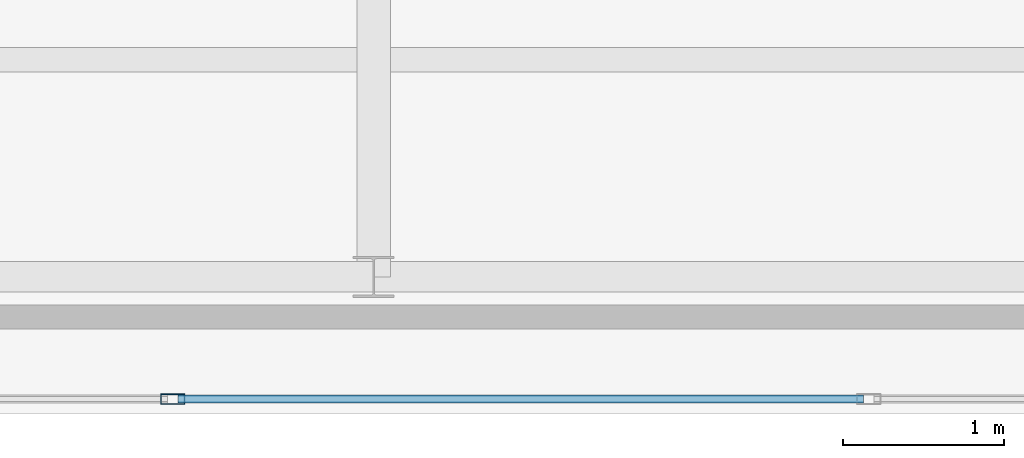
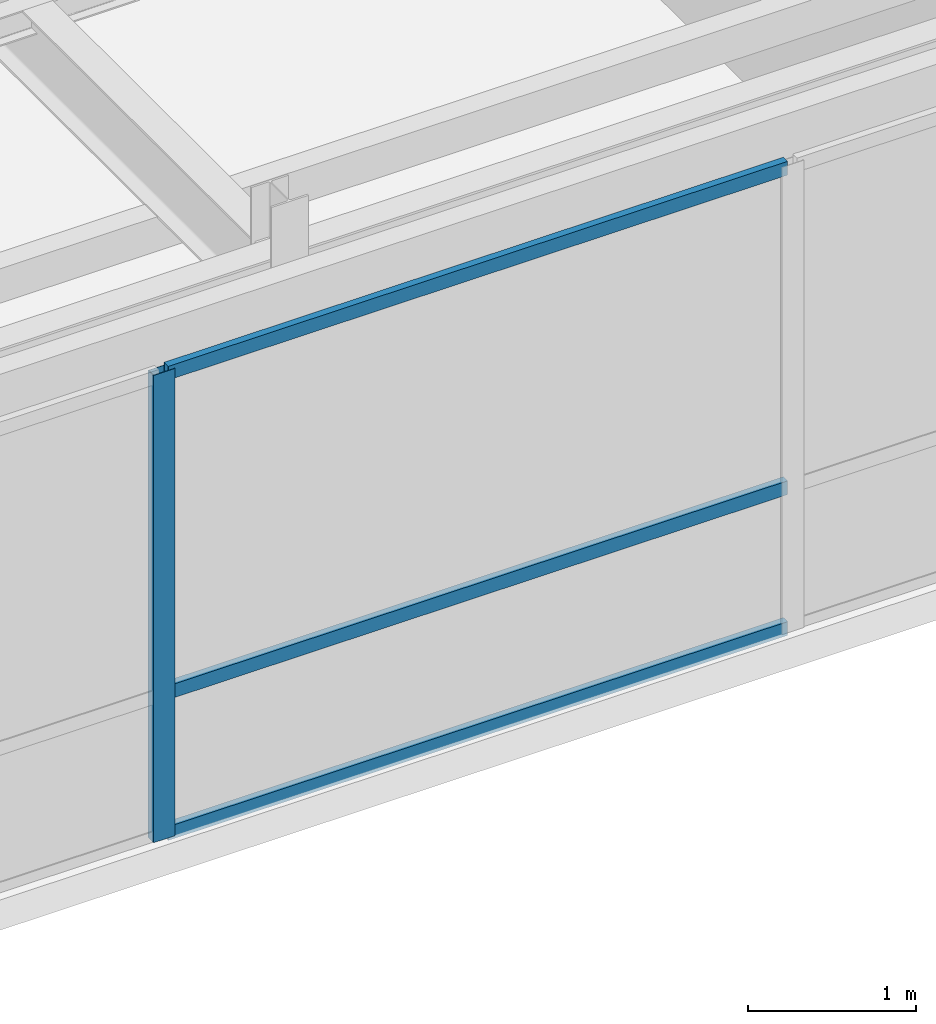
# One storey, part 10 of 35: 4 members, 1 element without a shape of its own.
"""IFC4 building model written with IfcOpenShell, lengths in metres."""

from ifc_helpers import new_model, si_unit, direction, frame, origin, origin_2d, place, context, subcontext, project, spatial, hollow_rectangle, extrude, source, transform, mapped, material, layer, layer_set, material_profile, profile_set, type_object, type_shapes, element, aggregate, save


model = new_model("IFC4")

# Units and contexts
model_context = context("Model", 3, precision=1e-05, world=origin(), true_north=direction((0.0, 1.0)))
body_context = subcontext(model_context, "Body", "Model", "MODEL_VIEW")
ifc_project = project(units=[si_unit("LENGTHUNIT", "METRE"), si_unit("AREAUNIT", "SQUARE_METRE"), si_unit("VOLUMEUNIT", "CUBIC_METRE"), si_unit("PLANEANGLEUNIT", "RADIAN"), si_unit("MASSUNIT", "GRAM", prefix="KILO")], contexts=[model_context])

# Site, building, storey
site_placement = place(None, origin())
site = spatial("IfcSite", under=ifc_project, at=site_placement, CompositionType="ELEMENT")
building_placement = place(site_placement, origin())
building = spatial("IfcBuilding", under=site, at=building_placement, Name="Tolvann Quenvar Hotel", CompositionType="ELEMENT")
storey_placement = place(building_placement, frame((0.0, 0.0, 309.949951171875)))
storey = spatial("IfcBuildingStorey", under=building, at=storey_placement, Name="L82", CompositionType="ELEMENT", Elevation=309.949951171875)

# Curtain wall, members
ifc_material_1 = material(Name="Thermally broken anodised architectural aluminium 6063-T6 and laminated low-E glass", Category="aluminium")
ifc_layer = layer(ifc_material_1, 0.179931640625)
ifc_layer_set = layer_set([ifc_layer], Name="Thermally broken anodised architectural aluminium 6063-T6 and laminated low-E glass")
curtain_wall_type = type_object("IfcCurtainWallType", Name="CW_SYS_LANT_06", PredefinedType="USERDEFINED", material=ifc_layer_set)
curtain_wall_placement = place(storey_placement, origin())
curtain_wall = element("IfcCurtainWall", 1, at=curtain_wall_placement, inside=storey, type_object=curtain_wall_type, Name="Curtain Wall CW-LANT-06 (CWR-L82-E04)", ObjectType="UNITISED CURTAIN WALL", PredefinedType="USERDEFINED")
ifc_material_2 = material(Name="Anodised architectural aluminium 6063-T6 framing", Category="aluminium")
ifc_material_profile_1 = material_profile(ifc_material_2, hollow_rectangle(XDim=0.050048828125, YDim=0.10009765625, WallThickness=0.0029296875, at=origin_2d()), Name="100x50x3RHS")
ifc_profile_set_1 = profile_set([ifc_material_profile_1], Name="Anodised architectural aluminium 6063-T6 framing")
member_type_1 = type_object("IfcMemberType", Name="CW_TRAN_100x50", PredefinedType="USERDEFINED", material=ifc_profile_set_1)
shared_shape_1 = source(origin(), body_context, "Body", "SweptSolid", [
    extrude(hollow_rectangle(XDim=0.050048828125, YDim=0.10009765625, WallThickness=0.0029296875, at=origin_2d()), origin(), (0.0, 0.0, 1.0), 4.2626953125),
])
type_shapes(member_type_1, [shared_shape_1])
member_1_placement = place(storey_placement, frame((20.83251953125, 6.2900390625, 0.025146484375), z_axis=(1.0, 0.0, 0.0), x_axis=(0.0, 1.0, 0.0)))
member_1 = element("IfcMember", 2, at=member_1_placement, type_object=member_type_1, Name="CW-LANT-06 transom 4.1", ObjectType="TRANSOM", PredefinedType="USERDEFINED", context=body_context, shape_type="MappedRepresentation", body=[
    mapped(shared_shape_1, transform((0.0, 0.0, 0.0), x_axis=(1.0, 0.0, 0.0), y_axis=(0.0, 1.0, 0.0), z_axis=(0.0, 0.0, 1.0), scale=1.0)),
])
member_2_placement = place(storey_placement, frame((20.83251953125, 6.2900390625, 1.050048828125), z_axis=(1.0, 0.0, 0.0), x_axis=(0.0, 1.0, 0.0)))
member_2 = element("IfcMember", 3, at=member_2_placement, type_object=member_type_1, Name="CW-LANT-06 transom 4.2", ObjectType="TRANSOM", PredefinedType="USERDEFINED", context=body_context, shape_type="MappedRepresentation", body=[
    mapped(shared_shape_1, transform((0.0, 0.0, 0.0), x_axis=(1.0, 0.0, 0.0), y_axis=(0.0, 1.0, 0.0), z_axis=(0.0, 0.0, 1.0), scale=1.0)),
])
member_3_placement = place(storey_placement, frame((20.83251953125, 6.2900390625, 3.375), z_axis=(1.0, 0.0, 0.0), x_axis=(0.0, 1.0, 0.0)))
member_3 = element("IfcMember", 4, at=member_3_placement, type_object=member_type_1, Name="CW-LANT-06 transom 4.3", ObjectType="TRANSOM", PredefinedType="USERDEFINED", context=body_context, shape_type="MappedRepresentation", body=[
    mapped(shared_shape_1, transform((0.0, 0.0, 0.0), x_axis=(1.0, 0.0, 0.0), y_axis=(0.0, 1.0, 0.0), z_axis=(0.0, 0.0, 1.0), scale=1.0)),
])
ifc_material_profile_2 = material_profile(ifc_material_2, hollow_rectangle(XDim=0.06494140625, YDim=0.14990234375, WallThickness=0.00390625, at=origin_2d()), Name="150x65x4RHS")
ifc_profile_set_2 = profile_set([ifc_material_profile_2], Name="Anodised architectural aluminium 6063-T6 framing")
member_type_2 = type_object("IfcMemberType", Name="CW_MULL_150x65", PredefinedType="MULLION", material=ifc_profile_set_2)
shared_shape_2 = source(origin(), body_context, "Body", "SweptSolid", [
    extrude(hollow_rectangle(XDim=0.06494140625, YDim=0.14990234375, WallThickness=0.00390625, at=origin_2d()), origin(), (0.0, 0.0, 1.0), 3.400146484375),
])
type_shapes(member_type_2, [shared_shape_2])
member_4_placement = place(storey_placement, frame((20.800048828125, 6.2900390625, 0.0), z_axis=(0.0, 0.0, 1.0), x_axis=(0.0, 1.0, 0.0)))
member_4 = element("IfcMember", 5, at=member_4_placement, type_object=member_type_2, Name="CW-LANT-06 mullion 4", PredefinedType="MULLION", context=body_context, shape_type="MappedRepresentation", body=[
    mapped(shared_shape_2, transform((0.0, 0.0, 0.0), x_axis=(1.0, 0.0, 0.0), y_axis=(0.0, 1.0, 0.0), z_axis=(0.0, 0.0, 1.0), scale=1.0)),
])
aggregate(curtain_wall, [member_4, member_1, member_2, member_3])

save(model, "model.ifc")
